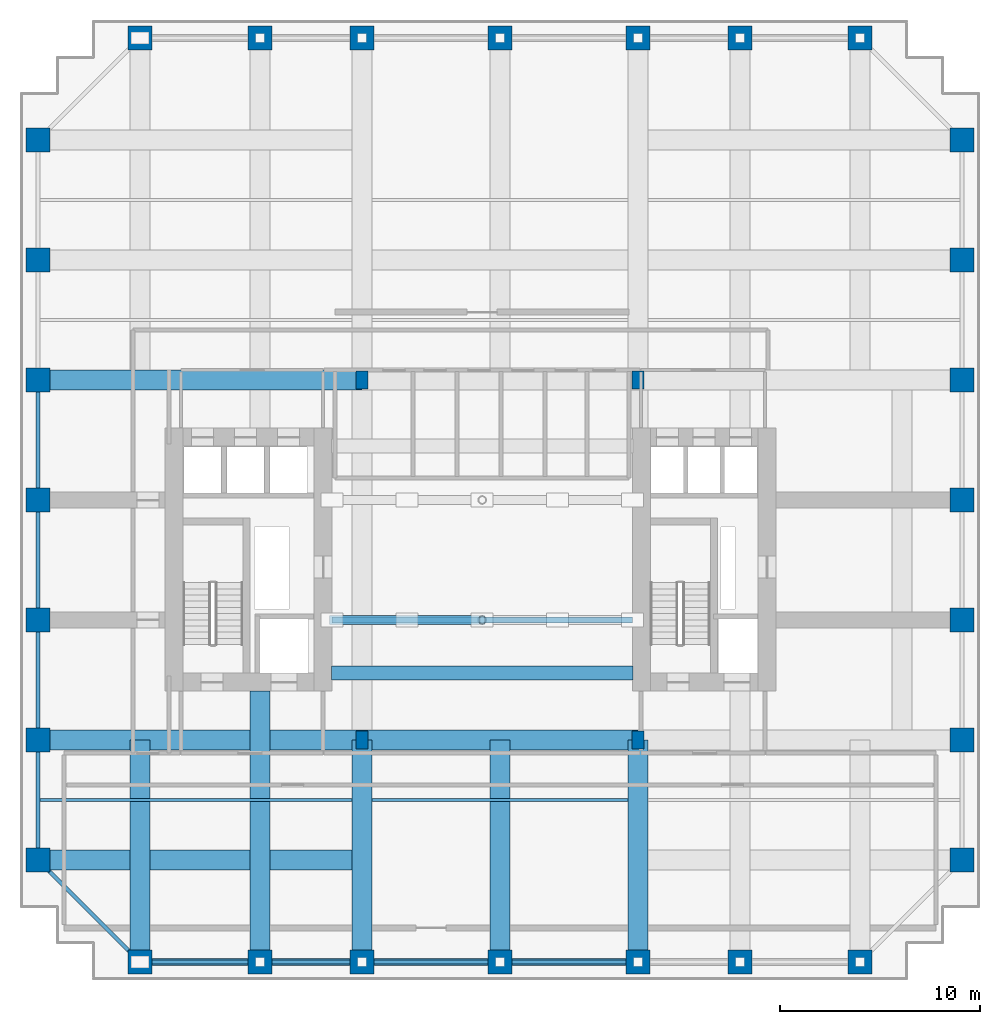
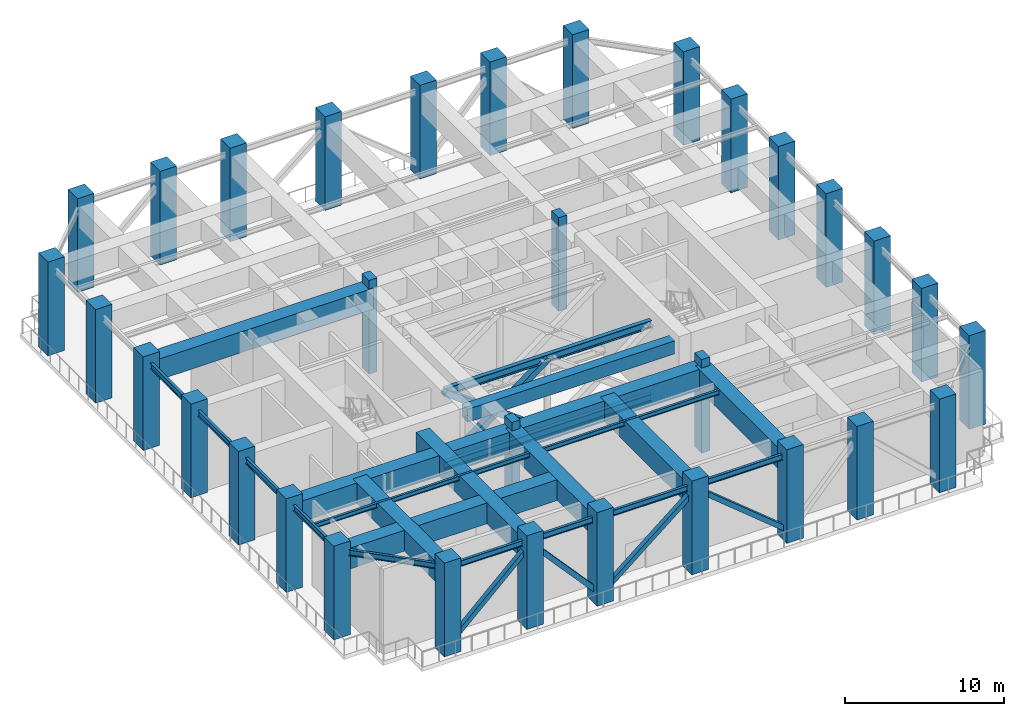
# One storey, part 1 of 10: 32 columns, 21 beams, 9 members.
"""IFC4 building model written with IfcOpenShell, lengths in metres."""

import ifcopenshell
import ifcopenshell.guid

model = None  # the IFC model being written
_history = None  # IfcOwnerHistory: only IFC2X3 demands one
_inside = {}  # id of a spatial element -> (the spatial element, [elements in it])
_under = {}  # id of a project, library or spatial element -> (it, [spatial elements below it])
_declared = {}  # id of a project -> (the project, [libraries it declares])
_typed = {}  # id of a type object -> (the type object, [elements of that type])
_made_of = {}  # id of a material, layer set ... -> (it, [elements and type objects made of it])


def new_model(schema):
    """Start an empty IFC model of exactly this schema.

    Asked for "IFC4X3", IfcOpenShell would pick the latest addendum, in which some entities
    have other attributes; the version numbers below select the first issue.
    IFC2X3 requires an IfcOwnerHistory on every rooted entity: one is made here for all.
    """
    global model, _history
    if schema == "IFC4X3":
        model = ifcopenshell.file(schema_version=(4, 3, 0, 0))
    else:
        model = ifcopenshell.file(schema=schema)
    _inside.clear()
    _under.clear()
    _declared.clear()
    _typed.clear()
    _made_of.clear()
    _history = None
    if model.schema == "IFC2X3":
        org = make("IfcOrganization", Name="unknown")
        user = make(
            "IfcPersonAndOrganization",
            ThePerson=make("IfcPerson", FamilyName="unknown"),
            TheOrganization=org,
        )
        app = make(
            "IfcApplication",
            ApplicationDeveloper=org,
            Version="unknown",
            ApplicationFullName="unknown",
            ApplicationIdentifier="unknown",
        )
        _history = make(
            "IfcOwnerHistory",
            OwningUser=user,
            OwningApplication=app,
            ChangeAction="ADDED",
            CreationDate=0,
        )
    return model


def make(cls, **values):
    """One entity of the class cls with the attributes given. An attribute that is None is left unset."""
    return model.create_entity(
        cls, **{name: value for name, value in values.items() if value is not None}
    )


def rooted(cls, **values):
    """An entity with a GlobalId (a new one), such as an element, a storey or a relation."""
    return make(cls, GlobalId=ifcopenshell.guid.new(), OwnerHistory=_history, **values)


def si_unit(unit_type, name, prefix=None):
    """IfcSIUnit, for example si_unit("LENGTHUNIT", "METRE", prefix="MILLI")."""
    return make("IfcSIUnit", UnitType=unit_type, Prefix=prefix, Name=name)


def assignment(units):
    """IfcUnitAssignment: the units of a project."""
    return None if units is None else make("IfcUnitAssignment", Units=units)


def point(xyz):
    """IfcCartesianPoint."""
    return None if xyz is None else make("IfcCartesianPoint", Coordinates=xyz)


def direction(xyz):
    """IfcDirection."""
    return None if xyz is None else make("IfcDirection", DirectionRatios=xyz)


def frame(location, z_axis=None, x_axis=None):
    """IfcAxis2Placement3D, a coordinate frame: its origin and axes. An axis left out is left unset."""
    return make(
        "IfcAxis2Placement3D",
        Location=point(location),
        Axis=direction(z_axis),
        RefDirection=direction(x_axis),
    )


def frame_2d(location, x_axis=None):
    """IfcAxis2Placement2D, a coordinate frame in the plane: its origin and x axis."""
    return make(
        "IfcAxis2Placement2D", Location=point(location), RefDirection=direction(x_axis)
    )


def origin():
    """The frame at (0, 0, 0) with its axes left unset."""
    return frame((0.0, 0.0, 0.0))


def origin_2d():
    """The frame at (0, 0) in the plane with its x axis left unset."""
    return frame_2d((0.0, 0.0))


def place(relative_to, where):
    """IfcLocalPlacement: puts the frame where relative to a parent placement (None: the world)."""
    return make(
        "IfcLocalPlacement", PlacementRelTo=relative_to, RelativePlacement=where
    )


def context(
    kind, dimensions, precision=None, world=None, true_north=None, identifier=None
):
    """IfcGeometricRepresentationContext, for example the 3D "Model" context."""
    return make(
        "IfcGeometricRepresentationContext",
        ContextIdentifier=identifier,
        ContextType=kind,
        CoordinateSpaceDimension=dimensions,
        Precision=precision,
        WorldCoordinateSystem=world,
        TrueNorth=true_north,
    )


def subcontext(parent, identifier, kind, view, scale=None):
    """IfcGeometricRepresentationSubContext, for example "Body" below "Model"."""
    return make(
        "IfcGeometricRepresentationSubContext",
        ContextIdentifier=identifier,
        ContextType=kind,
        ParentContext=parent,
        TargetScale=scale,
        TargetView=view,
    )


def project(units=None, contexts=None):
    """IfcProject with its units and contexts."""
    return rooted(
        "IfcProject",
        Name="project",
        RepresentationContexts=contexts,
        UnitsInContext=assignment(units),
    )


def spatial(cls, under=None, at=None, **own):
    """A site, building, storey or space (cls), placed at a placement, below another one or the project."""
    s = rooted(cls, ObjectPlacement=at, **own)
    if under is not None:
        _under.setdefault(under.id(), (under, []))[1].append(s)
    return s


def profile(cls, at=None, kind="AREA", **sizes):
    """A parametric profile (cls). Its sizes go by their IFC names, for example OverallWidth=200.0."""
    return make(cls, ProfileType=kind, Position=at, **sizes)


def rectangle(**sizes):
    """IfcRectangleProfileDef."""
    return profile("IfcRectangleProfileDef", **sizes)


def hollow_rectangle(**sizes):
    """IfcRectangleHollowProfileDef."""
    return profile("IfcRectangleHollowProfileDef", **sizes)


def i_section(**sizes):
    """IfcIShapeProfileDef."""
    return profile("IfcIShapeProfileDef", **sizes)


def extrude(swept, where, along, depth):
    """IfcExtrudedAreaSolid: the profile swept, set in the frame where, extruded along a direction by depth."""
    return make(
        "IfcExtrudedAreaSolid",
        SweptArea=swept,
        Position=where,
        ExtrudedDirection=direction(along),
        Depth=depth,
    )


def shape(context_of_items, identifier, shape_type, items):
    """IfcShapeRepresentation: the items that make up one representation, for example the "Body"."""
    return make(
        "IfcShapeRepresentation",
        ContextOfItems=context_of_items,
        RepresentationIdentifier=identifier,
        RepresentationType=shape_type,
        Items=items,
    )


def source(mapping_origin, context_of_items, identifier, shape_type, items):
    """IfcRepresentationMap: a shape defined once, which mapped items show again and again."""
    return make(
        "IfcRepresentationMap",
        MappingOrigin=mapping_origin,
        MappedRepresentation=shape(context_of_items, identifier, shape_type, items),
    )


def transform(
    local_origin,
    x_axis=None,
    y_axis=None,
    z_axis=None,
    scale=None,
    scale2=None,
    scale3=None,
    uniform=True,
):
    """IfcCartesianTransformationOperator3D, or its non-uniform kind. x_axis, y_axis, z_axis: its Axis1, 2, 3."""
    if uniform:
        return make(
            "IfcCartesianTransformationOperator3D",
            Axis1=direction(x_axis),
            Axis2=direction(y_axis),
            LocalOrigin=point(local_origin),
            Scale=scale,
            Axis3=direction(z_axis),
        )
    return make(
        "IfcCartesianTransformationOperator3DnonUniform",
        Axis1=direction(x_axis),
        Axis2=direction(y_axis),
        LocalOrigin=point(local_origin),
        Scale=scale,
        Axis3=direction(z_axis),
        Scale2=scale2,
        Scale3=scale3,
    )


def mapped(mapping_source, mapping_target):
    """IfcMappedItem: shows the shape of a source again, moved by a transform."""
    return make(
        "IfcMappedItem", MappingSource=mapping_source, MappingTarget=mapping_target
    )


def material(Name=None, Category=None):
    """IfcMaterial."""
    return make("IfcMaterial", Name=Name, Category=Category)


def material_profile(
    of_material, cross_section, Name=None, Category=None, Priority=None
):
    """IfcMaterialProfile: a cross section and its material."""
    return make(
        "IfcMaterialProfile",
        Name=Name,
        Material=of_material,
        Profile=cross_section,
        Priority=Priority,
        Category=Category,
    )


def profile_set(profiles, Name=None, composite=None):
    """IfcMaterialProfileSet."""
    return make(
        "IfcMaterialProfileSet",
        Name=Name,
        MaterialProfiles=profiles,
        CompositeProfile=composite,
    )


def made_of(thing, what):
    """Note that an element or type object is made of a material, layer set ...; save() writes the relation."""
    if what is not None:
        _made_of.setdefault(what.id(), (what, []))[1].append(thing)
    return thing


def type_object(cls, material=None, **own):
    """A type object (cls), such as IfcWallType, which elements share."""
    return made_of(rooted(cls, **own), material)


def element(
    cls,
    number,
    at=None,
    inside=None,
    cuts=None,
    type_object=None,
    material=None,
    context=None,
    identifier="Body",
    shape_type=None,
    held_by="IfcProductDefinitionShape",
    body=None,
    shapes=None,
    **own,
):
    """One element of the class cls, such as IfcWall. Its Tag is "e" and its number.

    at: its placement. inside: the storey or other place that contains it. cuts: it is an
    opening in that element (IfcRelVoidsElement). A single representation is given by context,
    identifier, shape_type and body (its items); several are given by shapes. held_by: the class
    of the entity that holds the representations. save() writes the other relations.
    """
    e = rooted(cls, Tag="e%d" % number, ObjectPlacement=at, **own)
    if body is not None:
        shapes = [shape(context, identifier, shape_type, body)]
    if shapes is not None:
        e.Representation = make(held_by, Representations=shapes)
    if inside is not None:
        _inside.setdefault(inside.id(), (inside, []))[1].append(e)
    if cuts is not None:
        rooted(
            "IfcRelVoidsElement", RelatingBuildingElement=cuts, RelatedOpeningElement=e
        )
    if type_object is not None:
        _typed.setdefault(type_object.id(), (type_object, []))[1].append(e)
    return made_of(e, material)


def aggregate(whole, parts):
    """IfcRelAggregates: a whole, such as a stair, and the parts it consists of."""
    return rooted("IfcRelAggregates", RelatingObject=whole, RelatedObjects=parts)


def save(model, path):
    """Write the relations noted so far, then the file.

    IfcRelAggregates (storeys below a building ...), IfcRelContainedInSpatialStructure (elements
    in a storey), IfcRelDefinesByType, IfcRelAssociatesMaterial and IfcRelDeclares: one each for
    every whole, place, type object, material and project.
    """
    for whole, parts in _under.values():
        aggregate(whole, parts)
    for where, things in _inside.values():
        rooted(
            "IfcRelContainedInSpatialStructure",
            RelatedElements=things,
            RelatingStructure=where,
        )
    for kind, things in _typed.values():
        rooted("IfcRelDefinesByType", RelatedObjects=things, RelatingType=kind)
    for what, things in _made_of.values():
        rooted("IfcRelAssociatesMaterial", RelatedObjects=things, RelatingMaterial=what)
    for by, libraries in _declared.values():
        rooted("IfcRelDeclares", RelatingContext=by, RelatedDefinitions=libraries)
    model.write(path)


model = new_model("IFC4")

# Units and contexts
model_context = context("Model", 3, precision=1e-05, world=origin(), true_north=direction((0.0, 1.0)))
body_context = subcontext(model_context, "Body", "Model", "MODEL_VIEW")
ifc_project = project(units=[si_unit("LENGTHUNIT", "METRE"), si_unit("AREAUNIT", "SQUARE_METRE"), si_unit("VOLUMEUNIT", "CUBIC_METRE"), si_unit("PLANEANGLEUNIT", "RADIAN"), si_unit("MASSUNIT", "GRAM", prefix="KILO")], contexts=[model_context])

# Site, building, storey
site_placement = place(None, origin())
site = spatial("IfcSite", under=ifc_project, at=site_placement, CompositionType="ELEMENT")
building_placement = place(site_placement, origin())
building = spatial("IfcBuilding", under=site, at=building_placement, Name="Khoralis Quay Care Tower", CompositionType="ELEMENT")
storey_placement = place(building_placement, frame((0.0, 0.0, 76.5)))
storey = spatial("IfcBuildingStorey", under=building, at=storey_placement, Name="L20", CompositionType="ELEMENT", Elevation=76.5)

# Columns
ifc_material_1 = material(Name="Concrete C80/95", Category="concrete")
ifc_material_profile_1 = material_profile(ifc_material_1, rectangle(XDim=1.199951171875, YDim=1.199951171875, at=origin_2d()), Name="Concrete C80/95")
ifc_profile_set_1 = profile_set([ifc_material_profile_1], Name="Concrete C80/95")
column_type_1 = type_object("IfcColumnType", Name="COL-C1200", PredefinedType="COLUMN", material=ifc_profile_set_1)
shared_shape_1 = source(origin(), body_context, "Body", "SweptSolid", [
    extrude(rectangle(XDim=1.199951171875, YDim=1.199951171875, at=origin_2d()), origin(), (0.0, 0.0, 1.0), 7.199951171875),
])
for number, where, z_axis, x_axis, name in (
    (1, (6.0, 0.89990234375, 0.0), (0.0, 0.0, 1.0), (1.0, 0.0, 0.0), "COL-TWR-L20-01"),
    (2, (6.0, 47.10009765625, 0.0), (0.0, 0.0, 1.0), (1.0, 0.0, 0.0), "COL-TWR-L20-02"),
    (3, (12.0, 0.89990234375, 0.0), (0.0, 0.0, 1.0), (1.0, 0.0, 0.0), "COL-TWR-L20-03"),
    (4, (12.0, 47.10009765625, 0.0), (0.0, 0.0, 1.0), (1.0, 0.0, 0.0), "COL-TWR-L20-04"),
    (5, (17.10009765625, 0.89990234375, 0.0), (0.0, 0.0, 1.0), (1.0, 0.0, 0.0), "COL-TWR-L20-05"),
    (6, (17.10009765625, 47.10009765625, 0.0), (0.0, 0.0, 1.0), (1.0, 0.0, 0.0), "COL-TWR-L20-06"),
    (7, (24.0, 0.89990234375, 0.0), (0.0, 0.0, 1.0), (1.0, 0.0, 0.0), "COL-TWR-L20-07"),
    (8, (24.0, 47.10009765625, 0.0), (0.0, 0.0, 1.0), (1.0, 0.0, 0.0), "COL-TWR-L20-08"),
    (9, (30.89990234375, 0.89990234375, 0.0), (0.0, 0.0, 1.0), (1.0, 0.0, 0.0), "COL-TWR-L20-09"),
    (10, (30.89990234375, 47.10009765625, 0.0), (0.0, 0.0, 1.0), (1.0, 0.0, 0.0), "COL-TWR-L20-10"),
    (11, (36.0, 0.89990234375, 0.0), (0.0, 0.0, 1.0), (1.0, 0.0, 0.0), "COL-TWR-L20-11"),
    (12, (36.0, 47.10009765625, 0.0), (0.0, 0.0, 1.0), (1.0, 0.0, 0.0), "COL-TWR-L20-12"),
    (13, (42.0, 0.89990234375, 0.0), (0.0, 0.0, 1.0), (1.0, 0.0, 0.0), "COL-TWR-L20-13"),
    (14, (42.0, 47.10009765625, 0.0), (0.0, 0.0, 1.0), (1.0, 0.0, 0.0), "COL-TWR-L20-14"),
    (15, (0.89990234375, 6.0, 0.0), (0.0, 0.0, 1.0), (1.0, 0.0, 0.0), "COL-TWR-L20-15"),
    (16, (47.10009765625, 6.0, 0.0), (0.0, 0.0, 1.0), (1.0, 0.0, 0.0), "COL-TWR-L20-16"),
    (17, (0.89990234375, 12.0, 0.0), (0.0, 0.0, 1.0), (1.0, 0.0, 0.0), "COL-TWR-L20-17"),
    (18, (47.10009765625, 12.0, 0.0), (0.0, 0.0, 1.0), (1.0, 0.0, 0.0), "COL-TWR-L20-18"),
    (19, (0.89990234375, 18.0, 0.0), (0.0, 0.0, 1.0), (1.0, 0.0, 0.0), "COL-TWR-L20-19"),
    (20, (47.10009765625, 18.0, 0.0), (0.0, 0.0, 1.0), (1.0, 0.0, 0.0), "COL-TWR-L20-20"),
    (21, (0.89990234375, 24.0, 0.0), (0.0, 0.0, 1.0), (1.0, 0.0, 0.0), "COL-TWR-L20-21"),
    (22, (47.10009765625, 24.0, 0.0), (0.0, 0.0, 1.0), (1.0, 0.0, 0.0), "COL-TWR-L20-22"),
    (23, (0.89990234375, 30.0, 0.0), (0.0, 0.0, 1.0), (1.0, 0.0, 0.0), "COL-TWR-L20-23"),
    (24, (47.10009765625, 30.0, 0.0), (0.0, 0.0, 1.0), (1.0, 0.0, 0.0), "COL-TWR-L20-24"),
    (25, (0.89990234375, 36.0, 0.0), (0.0, 0.0, 1.0), (1.0, 0.0, 0.0), "COL-TWR-L20-25"),
    (26, (47.10009765625, 36.0, 0.0), (0.0, 0.0, 1.0), (1.0, 0.0, 0.0), "COL-TWR-L20-26"),
    (27, (0.89990234375, 42.0, 0.0), (0.0, 0.0, 1.0), (1.0, 0.0, 0.0), "COL-TWR-L20-27"),
    (28, (47.10009765625, 42.0, 0.0), (0.0, 0.0, 1.0), (1.0, 0.0, 0.0), "COL-TWR-L20-28"),
):
    element("IfcColumn", number, at=place(storey_placement, frame(where, z_axis=z_axis, x_axis=x_axis)), inside=storey, type_object=column_type_1, Name=name, PredefinedType="COLUMN", context=body_context, shape_type="MappedRepresentation", body=[
        mapped(shared_shape_1, transform((0.0, 0.0, 0.0), scale=1.0)),
    ])
ifc_material_2 = material(Name="Concrete C65/80", Category="concrete")
ifc_material_profile_2 = material_profile(ifc_material_2, rectangle(XDim=0.60009765625, YDim=0.89990234375, at=origin_2d()), Name="Concrete C65/80")
ifc_profile_set_2 = profile_set([ifc_material_profile_2], Name="Concrete C65/80")
column_type_2 = type_object("IfcColumnType", Name="COL-C600X900", PredefinedType="COLUMN", material=ifc_profile_set_2)
shared_shape_2 = source(origin(), body_context, "Body", "SweptSolid", [
    extrude(rectangle(XDim=0.60009765625, YDim=0.89990234375, at=origin_2d()), origin(), (0.0, 0.0, 1.0), 7.199951171875),
])
for number, where, z_axis, x_axis, name in (
    (29, (17.10009765625, 12.0, 0.0), (0.0, 0.0, 1.0), (1.0, 0.0, 0.0), "COL-TWR-L20-29"),
    (30, (17.10009765625, 30.0, 0.0), (0.0, 0.0, 1.0), (1.0, 0.0, 0.0), "COL-TWR-L20-30"),
    (31, (30.89990234375, 12.0, 0.0), (0.0, 0.0, 1.0), (1.0, 0.0, 0.0), "COL-TWR-L20-31"),
    (32, (30.89990234375, 30.0, 0.0), (0.0, 0.0, 1.0), (1.0, 0.0, 0.0), "COL-TWR-L20-32"),
):
    element("IfcColumn", number, at=place(storey_placement, frame(where, z_axis=z_axis, x_axis=x_axis)), inside=storey, type_object=column_type_2, Name=name, PredefinedType="COLUMN", context=body_context, shape_type="MappedRepresentation", body=[
        mapped(shared_shape_2, transform((0.0, 0.0, 0.0), scale=1.0)),
    ])

# Beams
ifc_material_profile_3 = material_profile(ifc_material_1, rectangle(XDim=0.699951171875, YDim=1.0, at=origin_2d()), Name="Concrete C80/95")
ifc_profile_set_3 = profile_set([ifc_material_profile_3], Name="Concrete C80/95")
beam_type_1 = type_object("IfcBeamType", Name="CB-RC700X1000", PredefinedType="LINTEL", material=ifc_profile_set_3)
shared_shape_3 = source(origin(), body_context, "Body", "SweptSolid", [
    extrude(rectangle(XDim=0.699951171875, YDim=1.0, at=origin_2d()), origin(), (0.0, 0.0, 1.0), 15.079833984375),
])
beam_1_placement = place(storey_placement, frame((15.570068359375, 15.35009765625, 6.050048828125), z_axis=(1.0, 0.0, 0.0), x_axis=(0.0, 1.0, 0.0)))
element("IfcBeam", 33, at=beam_1_placement, inside=storey, type_object=beam_type_1, Name="L20 South Core Coupling Lintel", PredefinedType="LINTEL", context=body_context, shape_type="MappedRepresentation", body=[
    mapped(shared_shape_3, transform((0.0, 0.0, 0.0), scale=1.0)),
])
ifc_material_3 = material(Name="Steel S355", Category="steel")
ifc_material_profile_4 = material_profile(ifc_material_3, i_section(OverallWidth=0.18994140625, OverallDepth=0.449951171875, WebThickness=0.009521484375, FlangeThickness=0.0146484375, FilletRadius=0.02099609375, at=origin_2d()), Name="Steel S355")
ifc_profile_set_4 = profile_set([ifc_material_profile_4], Name="Steel S355")
beam_type_2 = type_object("IfcBeamType", Name="BM-IPE450", PredefinedType="SPANDREL", material=ifc_profile_set_4)
shared_shape_4 = source(origin(), body_context, "Body", "SweptSolid", [
    extrude(i_section(OverallWidth=0.18994140625, OverallDepth=0.449951171875, WebThickness=0.009521484375, FlangeThickness=0.0146484375, FilletRadius=0.02099609375, at=origin_2d()), origin(), (0.0, 0.0, 1.0), 6.0),
])
for number, where, z_axis, x_axis, name in (
    (34, (6.0, 0.89990234375, 6.324951171875), (1.0, 0.0, 0.0), (0.0, 1.0, 0.0), "BM-TSP-L20-01"),
    (35, (0.89990234375, 6.0, 6.324951171875), (0.0, 1.0, 0.0), (-1.0, 0.0, 0.0), "BM-TSP-L20-13"),
    (36, (0.89990234375, 12.0, 6.324951171875), (0.0, 1.0, 0.0), (-1.0, 0.0, 0.0), "BM-TSP-L20-14"),
    (37, (0.89990234375, 18.0, 6.324951171875), (0.0, 1.0, 0.0), (-1.0, 0.0, 0.0), "BM-TSP-L20-15"),
    (38, (0.89990234375, 24.0, 6.324951171875), (0.0, 1.0, 0.0), (-1.0, 0.0, 0.0), "BM-TSP-L20-16"),
):
    element("IfcBeam", number, at=place(storey_placement, frame(where, z_axis=z_axis, x_axis=x_axis)), inside=storey, type_object=beam_type_2, Name=name, PredefinedType="SPANDREL", context=body_context, shape_type="MappedRepresentation", body=[
        mapped(shared_shape_4, transform((0.0, 0.0, 0.0), scale=1.0)),
    ])
shared_shape_5 = source(origin(), body_context, "Body", "SweptSolid", [
    extrude(i_section(OverallWidth=0.18994140625, OverallDepth=0.449951171875, WebThickness=0.009521484375, FlangeThickness=0.0146484375, FilletRadius=0.02099609375, at=origin_2d()), origin(), (0.0, 0.0, 1.0), 5.10009765625),
])
beam_2_placement = place(storey_placement, frame((12.0, 0.89990234375, 6.324951171875), z_axis=(1.0, 0.0, 0.0), x_axis=(0.0, 1.0, 0.0)))
element("IfcBeam", 39, at=beam_2_placement, inside=storey, type_object=beam_type_2, Name="BM-TSP-L20-02", PredefinedType="SPANDREL", context=body_context, shape_type="MappedRepresentation", body=[
    mapped(shared_shape_5, transform((0.0, 0.0, 0.0), scale=1.0)),
])
shared_shape_6 = source(origin(), body_context, "Body", "SweptSolid", [
    extrude(i_section(OverallWidth=0.18994140625, OverallDepth=0.449951171875, WebThickness=0.009521484375, FlangeThickness=0.0146484375, FilletRadius=0.02099609375, at=origin_2d()), origin(), (0.0, 0.0, 1.0), 6.89990234375),
])
for number, where, z_axis, x_axis, name in (
    (40, (17.10009765625, 0.89990234375, 6.324951171875), (1.0, 0.0, 0.0), (0.0, 1.0, 0.0), "BM-TSP-L20-03"),
    (41, (24.0, 0.89990234375, 6.324951171875), (1.0, 0.0, 0.0), (0.0, 1.0, 0.0), "BM-TSP-L20-04"),
):
    element("IfcBeam", number, at=place(storey_placement, frame(where, z_axis=z_axis, x_axis=x_axis)), inside=storey, type_object=beam_type_2, Name=name, PredefinedType="SPANDREL", context=body_context, shape_type="MappedRepresentation", body=[
        mapped(shared_shape_6, transform((0.0, 0.0, 0.0), scale=1.0)),
    ])
shared_shape_7 = source(origin(), body_context, "Body", "SweptSolid", [
    extrude(i_section(OverallWidth=0.18994140625, OverallDepth=0.449951171875, WebThickness=0.009521484375, FlangeThickness=0.0146484375, FilletRadius=0.02099609375, at=origin_2d()), origin(), (0.0, 0.0, 1.0), 7.212646484375),
])
beam_3_placement = place(storey_placement, frame((6.0, 0.89990234375, 6.324951171875), z_axis=(-0.707106781187, 0.707106781187, 0.0), x_axis=(-0.707106781187, -0.707106781187, 0.0)))
element("IfcBeam", 42, at=beam_3_placement, inside=storey, type_object=beam_type_2, Name="BM-TCR-L20-25", PredefinedType="SPANDREL", context=body_context, shape_type="MappedRepresentation", body=[
    mapped(shared_shape_7, transform((0.0, 0.0, 0.0), scale=1.0)),
])
ifc_material_profile_5 = material_profile(ifc_material_1, rectangle(XDim=1.0, YDim=1.60009765625, at=origin_2d()), Name="Concrete C80/95")
ifc_profile_set_5 = profile_set([ifc_material_profile_5], Name="Concrete C80/95")
beam_type_3 = type_object("IfcBeamType", Name="TG-RC1000X1600", PredefinedType="BEAM", material=ifc_profile_set_5)
shared_shape_8 = source(origin(), body_context, "Body", "SweptSolid", [
    extrude(rectangle(XDim=1.0, YDim=1.60009765625, at=origin_2d()), origin(), (0.0, 0.0, 1.0), 15.712158203125),
])
beam_4_placement = place(storey_placement, frame((0.89990234375, 6.0, 5.75), z_axis=(1.0, 0.0, 0.0), x_axis=(0.0, 1.0, 0.0)))
element("IfcBeam", 43, at=beam_4_placement, inside=storey, type_object=beam_type_3, Name="L20 Transfer girder BM-TGXW-L20-60", PredefinedType="BEAM", context=body_context, shape_type="MappedRepresentation", body=[
    mapped(shared_shape_8, transform((0.0, 0.0, 0.0), scale=1.0)),
])
shared_shape_9 = source(origin(), body_context, "Body", "SweptSolid", [
    extrude(rectangle(XDim=1.0, YDim=1.60009765625, at=origin_2d()), origin(), (0.0, 0.0, 1.0), 16.2001953125),
])
for number, where, z_axis, x_axis, name in (
    (44, (0.89990234375, 12.0, 5.75), (1.0, 0.0, 0.0), (0.0, 1.0, 0.0), "L20 Transfer girder BM-TGXW-L20-120"),
    (45, (0.89990234375, 30.0, 5.75), (1.0, 0.0, 0.0), (0.0, 1.0, 0.0), "L20 Transfer girder BM-TGXW-L20-300"),
):
    element("IfcBeam", number, at=place(storey_placement, frame(where, z_axis=z_axis, x_axis=x_axis)), inside=storey, type_object=beam_type_3, Name=name, PredefinedType="BEAM", context=body_context, shape_type="MappedRepresentation", body=[
        mapped(shared_shape_9, transform((0.0, 0.0, 0.0), scale=1.0)),
    ])
shared_shape_10 = source(origin(), body_context, "Body", "SweptSolid", [
    extrude(rectangle(XDim=1.0, YDim=1.60009765625, at=origin_2d()), origin(), (0.0, 0.0, 1.0), 13.7998046875),
])
beam_5_placement = place(storey_placement, frame((17.10009765625, 12.0, 5.75), z_axis=(1.0, 0.0, 0.0), x_axis=(0.0, 1.0, 0.0)))
element("IfcBeam", 46, at=beam_5_placement, inside=storey, type_object=beam_type_3, Name="L20 Transfer girder BM-TGCC-L20-120", PredefinedType="BEAM", context=body_context, shape_type="MappedRepresentation", body=[
    mapped(shared_shape_10, transform((0.0, 0.0, 0.0), scale=1.0)),
])
shared_shape_11 = source(origin(), body_context, "Body", "SweptSolid", [
    extrude(rectangle(XDim=1.0, YDim=1.60009765625, at=origin_2d()), origin(), (0.0, 0.0, 1.0), 11.10009765625),
])
for number, where, z_axis, x_axis, name in (
    (47, (6.0, 0.89990234375, 5.75), (0.0, 1.0, 0.0), (-1.0, 0.0, 0.0), "L20 Transfer girder BM-TGYS-L20-60"),
    (48, (17.10009765625, 0.89990234375, 5.75), (0.0, 1.0, 0.0), (-1.0, 0.0, 0.0), "L20 Transfer girder BM-TGYS-L20-171"),
    (49, (24.0, 0.89990234375, 5.75), (0.0, 1.0, 0.0), (-1.0, 0.0, 0.0), "L20 Transfer girder BM-TGYS-L20-240"),
    (50, (30.89990234375, 0.89990234375, 5.75), (0.0, 1.0, 0.0), (-1.0, 0.0, 0.0), "L20 Transfer girder BM-TGYS-L20-309"),
):
    element("IfcBeam", number, at=place(storey_placement, frame(where, z_axis=z_axis, x_axis=x_axis)), inside=storey, type_object=beam_type_3, Name=name, PredefinedType="BEAM", context=body_context, shape_type="MappedRepresentation", body=[
        mapped(shared_shape_11, transform((0.0, 0.0, 0.0), scale=1.0)),
    ])
shared_shape_12 = source(origin(), body_context, "Body", "SweptSolid", [
    extrude(rectangle(XDim=1.0, YDim=1.60009765625, at=origin_2d()), origin(), (0.0, 0.0, 1.0), 13.552001953125),
])
beam_6_placement = place(storey_placement, frame((12.0, 0.89990234375, 5.75), z_axis=(0.0, 1.0, 0.0), x_axis=(-1.0, 0.0, 0.0)))
element("IfcBeam", 51, at=beam_6_placement, inside=storey, type_object=beam_type_3, Name="L20 Transfer girder BM-TGYS-L20-120", PredefinedType="BEAM", context=body_context, shape_type="MappedRepresentation", body=[
    mapped(shared_shape_12, transform((0.0, 0.0, 0.0), scale=1.0)),
])
ifc_material_profile_6 = material_profile(ifc_material_3, i_section(OverallWidth=0.1708984375, OverallDepth=0.35498046875, WebThickness=0.007080078125, FlangeThickness=0.01171875, FilletRadius=0.012939453125, at=origin_2d()), Name="Steel S355")
ifc_profile_set_6 = profile_set([ifc_material_profile_6], Name="Steel S355")
beam_type_4 = type_object("IfcBeamType", Name="BM-W360X51", PredefinedType="JOIST", material=ifc_profile_set_6)
shared_shape_13 = source(origin(), body_context, "Body", "SweptSolid", [
    extrude(i_section(OverallWidth=0.1708984375, OverallDepth=0.35498046875, WebThickness=0.007080078125, FlangeThickness=0.01171875, FilletRadius=0.012939453125, at=origin_2d()), origin(), (0.0, 0.0, 1.0), 15.631103515625),
])
beam_7_placement = place(storey_placement, frame((0.98095703125, 9.0, 6.37255859375), z_axis=(1.0, 0.0, 0.0), x_axis=(0.0, 1.0, 0.0)))
element("IfcBeam", 52, at=beam_7_placement, inside=storey, type_object=beam_type_4, Name="BM-TJS-L20-29", PredefinedType="JOIST", context=body_context, shape_type="MappedRepresentation", body=[
    mapped(shared_shape_13, transform((0.0, 0.0, 0.0), scale=1.0)),
])
shared_shape_14 = source(origin(), body_context, "Body", "SweptSolid", [
    extrude(i_section(OverallWidth=0.1708984375, OverallDepth=0.35498046875, WebThickness=0.007080078125, FlangeThickness=0.01171875, FilletRadius=0.012939453125, at=origin_2d()), origin(), (0.0, 0.0, 1.0), 12.82421875),
])
beam_8_placement = place(storey_placement, frame((17.587890625, 9.0, 6.37255859375), z_axis=(1.0, 0.0, 0.0), x_axis=(0.0, 1.0, 0.0)))
element("IfcBeam", 53, at=beam_8_placement, inside=storey, type_object=beam_type_4, Name="BM-TJS-L20-31", PredefinedType="JOIST", context=body_context, shape_type="MappedRepresentation", body=[
    mapped(shared_shape_14, transform((0.0, 0.0, 0.0), scale=1.0)),
])

# Members
ifc_material_profile_7 = material_profile(ifc_material_3, i_section(OverallWidth=0.300048828125, OverallDepth=0.60009765625, WebThickness=0.015380859375, FlangeThickness=0.030029296875, FilletRadius=0.027099609375, at=origin_2d()), Name="Steel S355")
ifc_profile_set_7 = profile_set([ifc_material_profile_7], Name="Steel S355")
member_type_1 = type_object("IfcMemberType", Name="CH-HEB600", PredefinedType="CHORD", material=ifc_profile_set_7)
shared_shape_15 = source(origin(), body_context, "Body", "SweptSolid", [
    extrude(i_section(OverallWidth=0.300048828125, OverallDepth=0.60009765625, WebThickness=0.015380859375, FlangeThickness=0.030029296875, FilletRadius=0.027099609375, at=origin_2d()), origin(), (0.0, 0.0, 1.0), 15.02001953125),
])
for number, where, z_axis, x_axis, name in (
    (54, (15.60009765625, 18.0, 0.449951171875), (1.0, 0.0, 0.0), (0.0, 1.0, 0.0), "MBR-L20-CHB-18"),
    (55, (15.60009765625, 18.0, 6.10009765625), (1.0, 0.0, 0.0), (0.0, 1.0, 0.0), "MBR-L20-CHT-18"),
):
    element("IfcMember", number, at=place(storey_placement, frame(where, z_axis=z_axis, x_axis=x_axis)), inside=storey, type_object=member_type_1, Name=name, PredefinedType="CHORD", context=body_context, shape_type="MappedRepresentation", body=[
        mapped(shared_shape_15, transform((0.0, 0.0, 0.0), scale=1.0)),
    ])
ifc_material_4 = material(Name="Steel S460", Category="steel")
ifc_material_profile_8 = material_profile(ifc_material_4, hollow_rectangle(XDim=0.449951171875, YDim=0.449951171875, WallThickness=0.02490234375, at=origin_2d()), Name="Steel S460")
ifc_profile_set_8 = profile_set([ifc_material_profile_8], Name="Steel S460")
member_type_2 = type_object("IfcMemberType", Name="BR-RHS450X450X25", PredefinedType="BRACE", material=ifc_profile_set_8)
shared_shape_16 = source(origin(), body_context, "Body", "SweptSolid", [
    extrude(hollow_rectangle(XDim=0.449951171875, YDim=0.449951171875, WallThickness=0.02490234375, at=origin_2d()), origin(), (0.0, 0.0, 1.0), 9.398193359375),
])
member_1_placement = place(storey_placement, frame((15.60009765625, 18.0, 0.449951171875), z_axis=(0.799098193623, 0.0, 0.60120052973), x_axis=(0.0, 1.0, 0.0)))
element("IfcMember", 56, at=member_1_placement, inside=storey, type_object=member_type_2, Name="L20 Outrigger Truss Continuous Diagonal 1", PredefinedType="BRACE", context=body_context, shape_type="MappedRepresentation", body=[
    mapped(shared_shape_16, transform((0.0, 0.0, 0.0), scale=1.0)),
])
shared_shape_17 = source(origin(), body_context, "Body", "SweptSolid", [
    extrude(hollow_rectangle(XDim=0.449951171875, YDim=0.449951171875, WallThickness=0.02490234375, at=origin_2d()), origin(), (0.0, 0.0, 1.0), 4.68896484375),
])
member_2_placement = place(storey_placement, frame((15.60009765625, 18.0, 6.10009765625), z_axis=(0.799080591209, 0.0, -0.601223925633), x_axis=(0.0, 1.0, 0.0)))
element("IfcMember", 57, at=member_2_placement, inside=storey, type_object=member_type_2, Name="L20 Outrigger Split Diagonal 2A", PredefinedType="BRACE", context=body_context, shape_type="MappedRepresentation", body=[
    mapped(shared_shape_17, transform((0.0, 0.0, 0.0), scale=1.0)),
])
shared_shape_18 = source(origin(), body_context, "Body", "SweptSolid", [
    extrude(hollow_rectangle(XDim=0.449951171875, YDim=0.449951171875, WallThickness=0.02490234375, at=origin_2d()), origin(), (0.0, 0.0, 1.0), 4.689208984375),
])
member_3_placement = place(storey_placement, frame((19.363037109375, 18.0, 3.26904296875), z_axis=(0.7990994109, 0.0, -0.601198911758), x_axis=(0.0, 1.0, 0.0)))
element("IfcMember", 58, at=member_3_placement, inside=storey, type_object=member_type_2, Name="L20 Outrigger Split Diagonal 2B", PredefinedType="BRACE", context=body_context, shape_type="MappedRepresentation", body=[
    mapped(shared_shape_18, transform((0.0, 0.0, 0.0), scale=1.0)),
])
ifc_material_profile_9 = material_profile(ifc_material_3, hollow_rectangle(XDim=0.35009765625, YDim=0.35009765625, WallThickness=0.01611328125, at=origin_2d()), Name="Steel S355")
ifc_profile_set_9 = profile_set([ifc_material_profile_9], Name="Steel S355")
member_type_3 = type_object("IfcMemberType", Name="BR-RHS350X350X16", PredefinedType="BRACE", material=ifc_profile_set_9)
shared_shape_19 = source(origin(), body_context, "Body", "SweptSolid", [
    extrude(hollow_rectangle(XDim=0.35009765625, YDim=0.35009765625, WallThickness=0.01611328125, at=origin_2d()), origin(), (0.0, 0.0, 1.0), 8.24169921875),
])
member_4_placement = place(storey_placement, frame((6.0, 0.89990234375, 0.449951171875), z_axis=(0.728012987869, 0.0, 0.685563337332), x_axis=(0.0, 1.0, 0.0)))
element("IfcMember", 59, at=member_4_placement, inside=storey, type_object=member_type_3, Name="L20 Belt truss diagonal 1", PredefinedType="BRACE", context=body_context, shape_type="MappedRepresentation", body=[
    mapped(shared_shape_19, transform((0.0, 0.0, 0.0), scale=1.0)),
])
shared_shape_20 = source(origin(), body_context, "Body", "SweptSolid", [
    extrude(hollow_rectangle(XDim=0.35009765625, YDim=0.35009765625, WallThickness=0.01611328125, at=origin_2d()), origin(), (0.0, 0.0, 1.0), 7.611572265625),
])
member_5_placement = place(storey_placement, frame((12.0, 0.89990234375, 6.10009765625), z_axis=(0.670050319951, 0.0, -0.742315679973), x_axis=(0.0, 1.0, 0.0)))
element("IfcMember", 60, at=member_5_placement, inside=storey, type_object=member_type_3, Name="L20 Belt truss diagonal 2", PredefinedType="BRACE", context=body_context, shape_type="MappedRepresentation", body=[
    mapped(shared_shape_20, transform((0.0, 0.0, 0.0), scale=1.0)),
])
shared_shape_21 = source(origin(), body_context, "Body", "SweptSolid", [
    extrude(hollow_rectangle(XDim=0.35009765625, YDim=0.35009765625, WallThickness=0.01611328125, at=origin_2d()), origin(), (0.0, 0.0, 1.0), 8.918212890625),
])
for number, where, z_axis, x_axis, name in (
    (61, (17.10009765625, 0.89990234375, 0.449951171875), (0.773694994311, 0.0, 0.633558249712), (0.0, 1.0, 0.0), "L20 Belt truss diagonal 3"),
    (62, (24.0, 0.89990234375, 6.10009765625), (0.773694994311, 0.0, -0.633558249712), (0.0, 1.0, 0.0), "L20 Belt truss diagonal 4"),
):
    element("IfcMember", number, at=place(storey_placement, frame(where, z_axis=z_axis, x_axis=x_axis)), inside=storey, type_object=member_type_3, Name=name, PredefinedType="BRACE", context=body_context, shape_type="MappedRepresentation", body=[
        mapped(shared_shape_21, transform((0.0, 0.0, 0.0), scale=1.0)),
    ])

save(model, "model.ifc")
